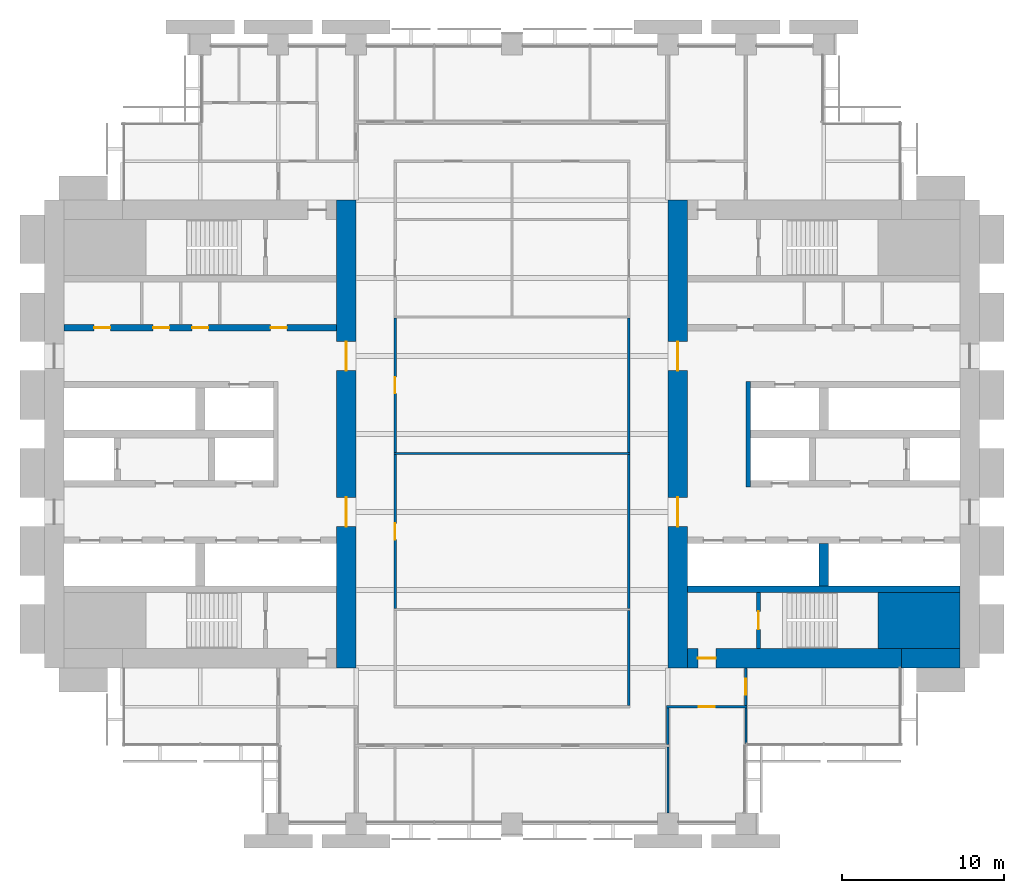
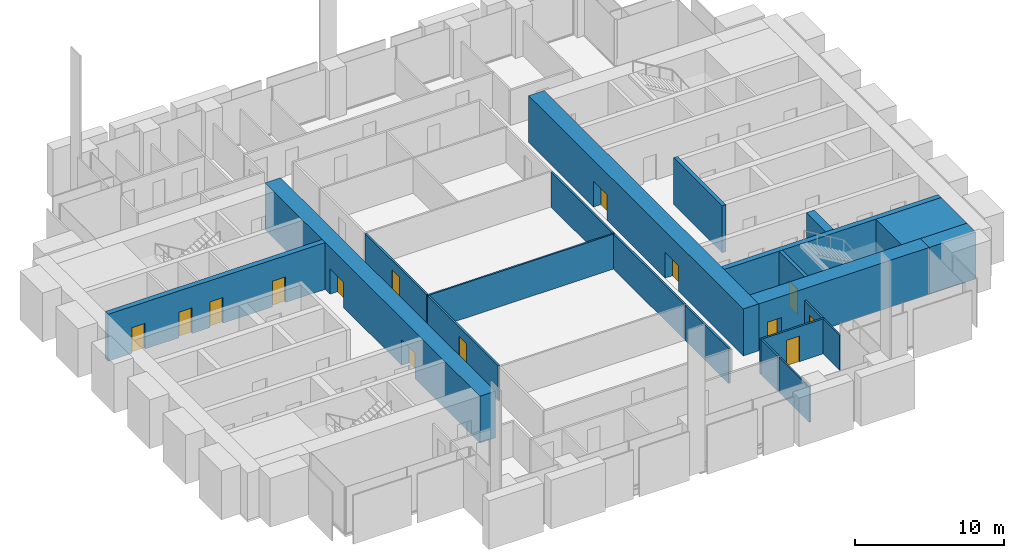
# One storey, part 10 of 14: 21 walls, 14 doors, 14 openings.
"""IFC4 building model written with IfcOpenShell, lengths in metres."""

from ifc_helpers import new_model, si_unit, direction, frame, frame_2d, origin, place, context, subcontext, project, spatial, rectangle, extrude, material, layer, layer_set, type_object, element, fill, save


model = new_model("IFC4")

# Units and contexts
model_context = context("Model", 3, precision=1e-05, world=origin(), true_north=direction((0.0, 1.0)))
body_context = subcontext(model_context, "Body", "Model", "MODEL_VIEW")
ifc_project = project(units=[si_unit("LENGTHUNIT", "METRE"), si_unit("AREAUNIT", "SQUARE_METRE"), si_unit("VOLUMEUNIT", "CUBIC_METRE"), si_unit("PLANEANGLEUNIT", "RADIAN"), si_unit("MASSUNIT", "GRAM", prefix="KILO")], contexts=[model_context])

# Site, building, storey
site_placement = place(None, origin())
site = spatial("IfcSite", under=ifc_project, at=site_placement, CompositionType="ELEMENT")
building_placement = place(site_placement, origin())
building = spatial("IfcBuilding", under=site, at=building_placement, Name="Baori Bourse Tower", CompositionType="ELEMENT")
storey_placement = place(building_placement, frame((0.0, 0.0, 63.0)))
storey = spatial("IfcBuildingStorey", under=building, at=storey_placement, Name="L13", CompositionType="ELEMENT", Elevation=63.0)

# Wall
ifc_material_1 = material(Name="Concrete f'c 70 MPa", Category="concrete")
wall_type_1 = type_object("IfcWallType", Name="Core corner block f'c 70", PredefinedType="SHEAR", material=ifc_material_1)
wall_1_placement = place(storey_placement, frame((51.35009765625, 12.52490234375, 0.0), z_axis=(0.0, 0.0, 1.0), x_axis=(1.0, 0.0, 0.0)))
element("IfcWall", 1, at=wall_1_placement, inside=storey, type_object=wall_type_1, Name="Core wall E05", PredefinedType="SHEAR", context=body_context, shape_type="SweptSolid", body=[
    extrude(rectangle(XDim=5.0498046875, YDim=3.449951171875, at=frame_2d((2.52490234375, 0.0))), origin(), (0.0, 0.0, 1.0), 3.840087890625),
])

# Wall, openings, doors
ifc_material_2 = material(Name="Concrete f'c 70 MPa", Category="concrete")
ifc_layer_1 = layer(ifc_material_2, 1.199951171875)
ifc_layer_set_1 = layer_set([ifc_layer_1], Name="Core wall 1200 f'c 70")
wall_type_2 = type_object("IfcWallType", Name="Core wall 1200 f'c 70", PredefinedType="SHEAR", material=ifc_layer_set_1)
wall_2_placement = place(storey_placement, frame((18.60009765625, 38.39990234375, 0.0), z_axis=(0.0, 0.0, 1.0), x_axis=(0.0, -1.0, 0.0)))
wall_2 = element("IfcWall", 2, at=wall_2_placement, inside=storey, type_object=wall_type_2, Name="Core wall W04", PredefinedType="SHEAR", context=body_context, shape_type="SweptSolid", body=[
    extrude(rectangle(XDim=28.7998046875, YDim=1.199951171875, at=frame_2d((14.39990234375, 0.0))), origin(), (0.0, 0.0, 1.0), 3.840087890625),
])
opening_1_placement = place(wall_2_placement, frame((18.300048828125, 0.0, 0.0)))
opening_1 = element("IfcOpeningElement", 3, at=opening_1_placement, cuts=wall_2, Name="Opening L13-D107", PredefinedType="OPENING", context=body_context, shape_type="SweptSolid", body=[
    extrude(rectangle(XDim=1.800048828125, YDim=2.10009765625, at=frame_2d((0.89990234375, 1.050048828125))), frame((0.0, 0.60986328125, 0.0), z_axis=(0.0, -1.0, 0.0), x_axis=(1.0, 0.0, 0.0)), (0.0, 0.0, 1.0), 1.219970703125),
])
opening_2_placement = place(wall_2_placement, frame((8.699951171875, 0.0, 0.0)))
opening_2 = element("IfcOpeningElement", 4, at=opening_2_placement, cuts=wall_2, Name="Opening L13-D108", PredefinedType="OPENING", context=body_context, shape_type="SweptSolid", body=[
    extrude(rectangle(XDim=1.800048828125, YDim=2.10009765625, at=frame_2d((0.89990234375, 1.050048828125))), frame((0.0, 0.60986328125, 0.0), z_axis=(0.0, -1.0, 0.0), x_axis=(1.0, 0.0, 0.0)), (0.0, 0.0, 1.0), 1.219970703125),
])
ifc_material_3 = material(Name="Painted steel door", Category="steel")
door_type_1 = type_object("IfcDoorType", Name="Core lobby door 1800", OperationType="DOUBLE_DOOR_SINGLE_SWING", PredefinedType="DOOR", material=ifc_material_3)
door_1_placement = place(opening_1_placement, origin())
door_1 = element("IfcDoor", 5, at=door_1_placement, inside=storey, type_object=door_type_1, Name="Lobby door W L13", OperationType="DOUBLE_DOOR_SINGLE_SWING", OverallHeight=2.10009765625, OverallWidth=1.800048828125, PredefinedType="DOOR", context=body_context, shape_type="SweptSolid", body=[
    extrude(rectangle(XDim=1.800048828125, YDim=2.10009765625, at=frame_2d((0.89990234375, 1.050048828125))), frame((0.0, 0.02490234375, 0.0), z_axis=(0.0, -1.0, 0.0), x_axis=(1.0, 0.0, 0.0)), (0.0, 0.0, 1.0), 0.050048828125),
])
fill(opening_1, door_1)
door_2_placement = place(opening_2_placement, origin())
door_2 = element("IfcDoor", 6, at=door_2_placement, inside=storey, type_object=door_type_1, Name="Lobby door W L13", OperationType="DOUBLE_DOOR_SINGLE_SWING", OverallHeight=2.10009765625, OverallWidth=1.800048828125, PredefinedType="DOOR", context=body_context, shape_type="SweptSolid", body=[
    extrude(rectangle(XDim=1.800048828125, YDim=2.10009765625, at=frame_2d((0.89990234375, 1.050048828125))), frame((0.0, 0.02490234375, 0.0), z_axis=(0.0, -1.0, 0.0), x_axis=(1.0, 0.0, 0.0)), (0.0, 0.0, 1.0), 0.050048828125),
])
fill(opening_2, door_2)

# Wall
wall_3_placement = place(storey_placement, frame((56.39990234375, 10.199951171875, 0.0), z_axis=(0.0, 0.0, 1.0), x_axis=(-1.0, 0.0, 0.0)))
element("IfcWall", 7, at=wall_3_placement, inside=storey, type_object=wall_type_2, Name="Core wall E02", PredefinedType="SHEAR", context=body_context, shape_type="SweptSolid", body=[
    extrude(rectangle(XDim=3.599853515625, YDim=1.199951171875, at=frame_2d((1.7998046875, 0.0))), origin(), (0.0, 0.0, 1.0), 3.840087890625),
])

# Wall, opening, door
wall_4_placement = place(storey_placement, frame((52.800048828125, 10.199951171875, 0.0), z_axis=(0.0, 0.0, 1.0), x_axis=(-1.0, 0.0, 0.0)))
wall_4 = element("IfcWall", 8, at=wall_4_placement, inside=storey, type_object=wall_type_2, Name="Core wall E03", PredefinedType="SHEAR", context=body_context, shape_type="SweptSolid", body=[
    extrude(rectangle(XDim=13.199951171875, YDim=1.199951171875, at=frame_2d((6.60009765625, 0.0))), origin(), (0.0, 0.0, 1.0), 3.840087890625),
])
opening_3_placement = place(wall_4_placement, frame((11.449951171875, 0.0, 0.0)))
opening_3 = element("IfcOpeningElement", 9, at=opening_3_placement, cuts=wall_4, Name="Opening L13-D202", PredefinedType="OPENING", context=body_context, shape_type="SweptSolid", body=[
    extrude(rectangle(XDim=1.10009765625, YDim=2.10009765625, at=frame_2d((0.550048828125, 1.050048828125))), frame((0.0, 0.60986328125, 0.0), z_axis=(0.0, -1.0, 0.0), x_axis=(1.0, 0.0, 0.0)), (0.0, 0.0, 1.0), 1.219970703125),
])
ifc_material_4 = material(Name="Painted steel door", Category="steel")
door_type_2 = type_object("IfcDoorType", Name="Stair door 1100", OperationType="SINGLE_SWING_LEFT", PredefinedType="DOOR", material=ifc_material_4)
door_3_placement = place(opening_3_placement, origin())
door_3 = element("IfcDoor", 10, at=door_3_placement, inside=storey, type_object=door_type_2, Name="Stair vestibule door A E L13", OperationType="SINGLE_SWING_LEFT", OverallHeight=2.10009765625, OverallWidth=1.10009765625, PredefinedType="DOOR", context=body_context, shape_type="SweptSolid", body=[
    extrude(rectangle(XDim=1.10009765625, YDim=2.10009765625, at=frame_2d((0.550048828125, 1.050048828125))), frame((0.0, 0.02490234375, 0.0), z_axis=(0.0, -1.0, 0.0), x_axis=(1.0, 0.0, 0.0)), (0.0, 0.0, 1.0), 0.050048828125),
])
fill(opening_3, door_3)

# Wall, openings, doors
wall_5_placement = place(storey_placement, frame((39.0, 9.60009765625, 0.0), z_axis=(0.0, 0.0, 1.0), x_axis=(0.0, 1.0, 0.0)))
wall_5 = element("IfcWall", 11, at=wall_5_placement, inside=storey, type_object=wall_type_2, Name="Core wall E04", PredefinedType="SHEAR", context=body_context, shape_type="SweptSolid", body=[
    extrude(rectangle(XDim=28.7998046875, YDim=1.199951171875, at=frame_2d((14.39990234375, 0.0))), origin(), (0.0, 0.0, 1.0), 3.840087890625),
])
opening_4_placement = place(wall_5_placement, frame((8.699951171875, 0.0, 0.0)))
opening_4 = element("IfcOpeningElement", 12, at=opening_4_placement, cuts=wall_5, Name="Opening L13-D207", PredefinedType="OPENING", context=body_context, shape_type="SweptSolid", body=[
    extrude(rectangle(XDim=1.800048828125, YDim=2.10009765625, at=frame_2d((0.89990234375, 1.050048828125))), frame((0.0, 0.60986328125, 0.0), z_axis=(0.0, -1.0, 0.0), x_axis=(1.0, 0.0, 0.0)), (0.0, 0.0, 1.0), 1.219970703125),
])
opening_5_placement = place(wall_5_placement, frame((18.300048828125, 0.0, 0.0)))
opening_5 = element("IfcOpeningElement", 13, at=opening_5_placement, cuts=wall_5, Name="Opening L13-D208", PredefinedType="OPENING", context=body_context, shape_type="SweptSolid", body=[
    extrude(rectangle(XDim=1.800048828125, YDim=2.10009765625, at=frame_2d((0.89990234375, 1.050048828125))), frame((0.0, 0.60986328125, 0.0), z_axis=(0.0, -1.0, 0.0), x_axis=(1.0, 0.0, 0.0)), (0.0, 0.0, 1.0), 1.219970703125),
])
door_4_placement = place(opening_4_placement, origin())
door_4 = element("IfcDoor", 14, at=door_4_placement, inside=storey, type_object=door_type_1, Name="Lobby door E L13", OperationType="DOUBLE_DOOR_SINGLE_SWING", OverallHeight=2.10009765625, OverallWidth=1.800048828125, PredefinedType="DOOR", context=body_context, shape_type="SweptSolid", body=[
    extrude(rectangle(XDim=1.800048828125, YDim=2.10009765625, at=frame_2d((0.89990234375, 1.050048828125))), frame((0.0, 0.02490234375, 0.0), z_axis=(0.0, -1.0, 0.0), x_axis=(1.0, 0.0, 0.0)), (0.0, 0.0, 1.0), 0.050048828125),
])
fill(opening_4, door_4)
door_5_placement = place(opening_5_placement, origin())
door_5 = element("IfcDoor", 15, at=door_5_placement, inside=storey, type_object=door_type_1, Name="Lobby door E L13", OperationType="DOUBLE_DOOR_SINGLE_SWING", OverallHeight=2.10009765625, OverallWidth=1.800048828125, PredefinedType="DOOR", context=body_context, shape_type="SweptSolid", body=[
    extrude(rectangle(XDim=1.800048828125, YDim=2.10009765625, at=frame_2d((0.89990234375, 1.050048828125))), frame((0.0, 0.02490234375, 0.0), z_axis=(0.0, -1.0, 0.0), x_axis=(1.0, 0.0, 0.0)), (0.0, 0.0, 1.0), 0.050048828125),
])
fill(opening_5, door_5)

# Wall, opening, door
ifc_material_5 = material(Name="Gypsum board partition")
ifc_layer_2 = layer(ifc_material_5, 0.14990234375)
ifc_layer_set_2 = layer_set([ifc_layer_2], Name="Corridor partition 150")
wall_type_3 = type_object("IfcWallType", Name="Corridor partition 150", PredefinedType="PARTITIONING", material=ifc_layer_set_2)
wall_6_placement = place(storey_placement, frame((38.324951171875, 7.199951171875, 0.0), z_axis=(0.0, 0.0, 1.0), x_axis=(1.0, 0.0, 0.0)))
wall_6 = element("IfcWall", 16, at=wall_6_placement, inside=storey, type_object=wall_type_3, Name="Partition", PredefinedType="PARTITIONING", context=body_context, shape_type="SweptSolid", body=[
    extrude(rectangle(XDim=4.949951171875, YDim=0.14990234375, at=frame_2d((2.47509765625, 0.0))), origin(), (0.0, 0.0, 1.0), 2.86962890625),
])
opening_6_placement = place(wall_6_placement, frame((1.97509765625, 0.0, 0.0)))
opening_6 = element("IfcOpeningElement", 17, at=opening_6_placement, cuts=wall_6, Name="Opening L13-D06", PredefinedType="OPENING", context=body_context, shape_type="SweptSolid", body=[
    extrude(rectangle(XDim=1.0, YDim=2.10009765625, at=frame_2d((0.5, 1.050048828125))), frame((0.0, 0.0849609375, 0.0), z_axis=(0.0, -1.0, 0.0), x_axis=(1.0, 0.0, 0.0)), (0.0, 0.0, 1.0), 0.169921875),
])
ifc_material_6 = material(Name="Timber door leaf", Category="wood")
door_type_3 = type_object("IfcDoorType", Name="Door 1000 x 2100", OperationType="SINGLE_SWING_LEFT", PredefinedType="DOOR", material=ifc_material_6)
door_6_placement = place(opening_6_placement, origin())
door_6 = element("IfcDoor", 18, at=door_6_placement, inside=storey, type_object=door_type_3, Name="Door", OperationType="SINGLE_SWING_LEFT", OverallHeight=2.10009765625, OverallWidth=1.0, PredefinedType="DOOR", context=body_context, shape_type="SweptSolid", body=[
    extrude(rectangle(XDim=1.0, YDim=2.10009765625, at=frame_2d((0.5, 1.050048828125))), frame((0.0, 0.02490234375, 0.0), z_axis=(0.0, -1.0, 0.0), x_axis=(1.0, 0.0, 0.0)), (0.0, 0.0, 1.0), 0.050048828125),
])
fill(opening_6, door_6)

wall_7_placement = place(storey_placement, frame((21.60009765625, 13.262451171875, 0.0), z_axis=(0.0, 0.0, 1.0), x_axis=(0.0, 1.0, 0.0)))
wall_7 = element("IfcWall", 19, at=wall_7_placement, inside=storey, type_object=wall_type_3, Name="Partition", PredefinedType="PARTITIONING", context=body_context, shape_type="SweptSolid", body=[
    extrude(rectangle(XDim=9.47509765625, YDim=0.14990234375, at=frame_2d((4.737548828125, 0.0))), origin(), (0.0, 0.0, 1.0), 2.86962890625),
])
opening_7_placement = place(wall_7_placement, frame((4.237548828125, 0.0, 0.0)))
opening_7 = element("IfcOpeningElement", 20, at=opening_7_placement, cuts=wall_7, Name="Opening L13-D21", PredefinedType="OPENING", context=body_context, shape_type="SweptSolid", body=[
    extrude(rectangle(XDim=1.0, YDim=2.10009765625, at=frame_2d((0.5, 1.050048828125))), frame((0.0, 0.0849609375, 0.0), z_axis=(0.0, -1.0, 0.0), x_axis=(1.0, 0.0, 0.0)), (0.0, 0.0, 1.0), 0.169921875),
])
door_7_placement = place(opening_7_placement, origin())
door_7 = element("IfcDoor", 21, at=door_7_placement, inside=storey, type_object=door_type_3, Name="Door", OperationType="SINGLE_SWING_LEFT", OverallHeight=2.10009765625, OverallWidth=1.0, PredefinedType="DOOR", context=body_context, shape_type="SweptSolid", body=[
    extrude(rectangle(XDim=1.0, YDim=2.10009765625, at=frame_2d((0.5, 1.050048828125))), frame((0.0, 0.02490234375, 0.0), z_axis=(0.0, -1.0, 0.0), x_axis=(1.0, 0.0, 0.0)), (0.0, 0.0, 1.0), 0.050048828125),
])
fill(opening_7, door_7)

wall_8_placement = place(storey_placement, frame((21.60009765625, 22.862548828125, 0.0), z_axis=(0.0, 0.0, 1.0), x_axis=(0.0, 1.0, 0.0)))
wall_8 = element("IfcWall", 22, at=wall_8_placement, inside=storey, type_object=wall_type_3, Name="Partition", PredefinedType="PARTITIONING", context=body_context, shape_type="SweptSolid", body=[
    extrude(rectangle(XDim=8.27490234375, YDim=0.14990234375, at=frame_2d((4.137451171875, 0.0))), origin(), (0.0, 0.0, 1.0), 2.86962890625),
])
opening_8_placement = place(wall_8_placement, frame((3.637451171875, 0.0, 0.0)))
opening_8 = element("IfcOpeningElement", 23, at=opening_8_placement, cuts=wall_8, Name="Opening L13-D22", PredefinedType="OPENING", context=body_context, shape_type="SweptSolid", body=[
    extrude(rectangle(XDim=1.0, YDim=2.10009765625, at=frame_2d((0.5, 1.050048828125))), frame((0.0, 0.0849609375, 0.0), z_axis=(0.0, -1.0, 0.0), x_axis=(1.0, 0.0, 0.0)), (0.0, 0.0, 1.0), 0.169921875),
])
door_8_placement = place(opening_8_placement, origin())
door_8 = element("IfcDoor", 24, at=door_8_placement, inside=storey, type_object=door_type_3, Name="Door", OperationType="SINGLE_SWING_LEFT", OverallHeight=2.10009765625, OverallWidth=1.0, PredefinedType="DOOR", context=body_context, shape_type="SweptSolid", body=[
    extrude(rectangle(XDim=1.0, YDim=2.10009765625, at=frame_2d((0.5, 1.050048828125))), frame((0.0, 0.02490234375, 0.0), z_axis=(0.0, -1.0, 0.0), x_axis=(1.0, 0.0, 0.0)), (0.0, 0.0, 1.0), 0.050048828125),
])
fill(opening_8, door_8)

# Walls
wall_9_placement = place(storey_placement, frame((36.0, 7.27490234375, 0.0), z_axis=(0.0, 0.0, 1.0), x_axis=(0.0, 1.0, 0.0)))
element("IfcWall", 25, at=wall_9_placement, inside=storey, type_object=wall_type_3, Name="Partition", PredefinedType="PARTITIONING", context=body_context, shape_type="SweptSolid", body=[
    extrude(rectangle(XDim=5.862548828125, YDim=0.14990234375, at=frame_2d((2.93115234375, 0.0))), origin(), (0.0, 0.0, 1.0), 2.86962890625),
])
wall_10_placement = place(storey_placement, frame((36.0, 13.262451171875, 0.0), z_axis=(0.0, 0.0, 1.0), x_axis=(0.0, 1.0, 0.0)))
element("IfcWall", 26, at=wall_10_placement, inside=storey, type_object=wall_type_3, Name="Partition", PredefinedType="PARTITIONING", context=body_context, shape_type="SweptSolid", body=[
    extrude(rectangle(XDim=9.47509765625, YDim=0.14990234375, at=frame_2d((4.737548828125, 0.0))), origin(), (0.0, 0.0, 1.0), 2.86962890625),
])
wall_11_placement = place(storey_placement, frame((36.0, 22.862548828125, 0.0), z_axis=(0.0, 0.0, 1.0), x_axis=(0.0, 1.0, 0.0)))
element("IfcWall", 27, at=wall_11_placement, inside=storey, type_object=wall_type_3, Name="Partition", PredefinedType="PARTITIONING", context=body_context, shape_type="SweptSolid", body=[
    extrude(rectangle(XDim=8.27490234375, YDim=0.14990234375, at=frame_2d((4.137451171875, 0.0))), origin(), (0.0, 0.0, 1.0), 2.86962890625),
])
wall_12_placement = place(storey_placement, frame((38.39990234375, 4.875, 0.0), z_axis=(0.0, 0.0, 1.0), x_axis=(0.0, 1.0, 0.0)))
element("IfcWall", 28, at=wall_12_placement, inside=storey, type_object=wall_type_3, Name="Partition", PredefinedType="PARTITIONING", context=body_context, shape_type="SweptSolid", body=[
    extrude(rectangle(XDim=2.25, YDim=0.14990234375, at=frame_2d((1.125, 0.0))), origin(), (0.0, 0.0, 1.0), 2.86962890625),
])

# Wall, opening, door
wall_13_placement = place(storey_placement, frame((43.199951171875, 7.27490234375, 0.0), z_axis=(0.0, 0.0, 1.0), x_axis=(0.0, 1.0, 0.0)))
wall_13 = element("IfcWall", 29, at=wall_13_placement, inside=storey, type_object=wall_type_3, Name="Partition", PredefinedType="PARTITIONING", context=body_context, shape_type="SweptSolid", body=[
    extrude(rectangle(XDim=2.3251953125, YDim=0.14990234375, at=frame_2d((1.16259765625, 0.0))), origin(), (0.0, 0.0, 1.0), 2.86962890625),
])
opening_9_placement = place(wall_13_placement, frame((0.66259765625, 0.0, 0.0)))
opening_9 = element("IfcOpeningElement", 30, at=opening_9_placement, cuts=wall_13, Name="Opening L13-D25", PredefinedType="OPENING", context=body_context, shape_type="SweptSolid", body=[
    extrude(rectangle(XDim=1.0, YDim=2.10009765625, at=frame_2d((0.5, 1.050048828125))), frame((0.0, 0.0849609375, 0.0), z_axis=(0.0, -1.0, 0.0), x_axis=(1.0, 0.0, 0.0)), (0.0, 0.0, 1.0), 0.169921875),
])
door_9_placement = place(opening_9_placement, origin())
door_9 = element("IfcDoor", 31, at=door_9_placement, inside=storey, type_object=door_type_3, Name="Door", OperationType="SINGLE_SWING_LEFT", OverallHeight=2.10009765625, OverallWidth=1.0, PredefinedType="DOOR", context=body_context, shape_type="SweptSolid", body=[
    extrude(rectangle(XDim=1.0, YDim=2.10009765625, at=frame_2d((0.5, 1.050048828125))), frame((0.0, 0.02490234375, 0.0), z_axis=(0.0, -1.0, 0.0), x_axis=(1.0, 0.0, 0.0)), (0.0, 0.0, 1.0), 0.050048828125),
])
fill(opening_9, door_9)

# Walls
ifc_material_7 = material(Name="Gypsum board partition")
ifc_layer_3 = layer(ifc_material_7, 0.125)
ifc_layer_set_3 = layer_set([ifc_layer_3], Name="Partition 125")
wall_type_4 = type_object("IfcWallType", Name="Partition 125", PredefinedType="PARTITIONING", material=ifc_layer_set_3)
wall_14_placement = place(storey_placement, frame((21.52490234375, 22.800048828125, 0.0), z_axis=(0.0, 0.0, 1.0), x_axis=(1.0, 0.0, 0.0)))
element("IfcWall", 32, at=wall_14_placement, inside=storey, type_object=wall_type_4, Name="Partition", PredefinedType="PARTITIONING", context=body_context, shape_type="SweptSolid", body=[
    extrude(rectangle(XDim=14.550048828125, YDim=0.125, at=frame_2d((7.27490234375, 0.0))), origin(), (0.0, 0.0, 1.0), 2.86962890625),
])
wall_15_placement = place(storey_placement, frame((38.39990234375, 0.64990234375, 0.0), z_axis=(0.0, 0.0, 1.0), x_axis=(0.0, 1.0, 0.0)))
element("IfcWall", 33, at=wall_15_placement, inside=storey, type_object=wall_type_4, Name="Partition", PredefinedType="PARTITIONING", context=body_context, shape_type="SweptSolid", body=[
    extrude(rectangle(XDim=4.0751953125, YDim=0.125, at=frame_2d((2.03759765625, 0.0))), origin(), (0.0, 0.0, 1.0), 2.86962890625),
])
wall_16_placement = place(storey_placement, frame((43.199951171875, 4.89990234375, 0.0), z_axis=(0.0, 0.0, 1.0), x_axis=(0.0, 1.0, 0.0)))
element("IfcWall", 34, at=wall_16_placement, inside=storey, type_object=wall_type_4, Name="Partition", PredefinedType="PARTITIONING", context=body_context, shape_type="SweptSolid", body=[
    extrude(rectangle(XDim=2.22509765625, YDim=0.125, at=frame_2d((1.112548828125, 0.0))), origin(), (0.0, 0.0, 1.0), 2.86962890625),
])

# Wall, opening, door
ifc_material_8 = material(Name="Concrete f'c 70 MPa", Category="concrete")
ifc_layer_4 = layer(ifc_material_8, 0.25)
ifc_layer_set_4 = layer_set([ifc_layer_4], Name="Shaft wall 250 f'c 70")
wall_type_5 = type_object("IfcWallType", Name="Shaft wall 250 f'c 70", PredefinedType="SHEAR", material=ifc_layer_set_4)
wall_17_placement = place(storey_placement, frame((43.97509765625, 10.800048828125, 0.0), z_axis=(0.0, 0.0, 1.0), x_axis=(0.0, 1.0, 0.0)))
wall_17 = element("IfcWall", 35, at=wall_17_placement, inside=storey, type_object=wall_type_5, Name="Core wall E06", PredefinedType="SHEAR", context=body_context, shape_type="SweptSolid", body=[
    extrude(rectangle(XDim=3.449951171875, YDim=0.25, at=frame_2d((1.72509765625, 0.0))), origin(), (0.0, 0.0, 1.0), 3.840087890625),
])
opening_10_placement = place(wall_17_placement, frame((1.175048828125, 0.0, 0.0)))
opening_10 = element("IfcOpeningElement", 36, at=opening_10_placement, cuts=wall_17, Name="Opening L13-D201", PredefinedType="OPENING", context=body_context, shape_type="SweptSolid", body=[
    extrude(rectangle(XDim=1.10009765625, YDim=2.10009765625, at=frame_2d((0.550048828125, 1.050048828125))), frame((0.0, 0.135009765625, 0.0), z_axis=(0.0, -1.0, 0.0), x_axis=(1.0, 0.0, 0.0)), (0.0, 0.0, 1.0), 0.27001953125),
])
door_10_placement = place(opening_10_placement, origin())
door_10 = element("IfcDoor", 37, at=door_10_placement, inside=storey, type_object=door_type_2, Name="Stair door A E L13", OperationType="SINGLE_SWING_LEFT", OverallHeight=2.10009765625, OverallWidth=1.10009765625, PredefinedType="DOOR", context=body_context, shape_type="SweptSolid", body=[
    extrude(rectangle(XDim=1.10009765625, YDim=2.10009765625, at=frame_2d((0.550048828125, 1.050048828125))), frame((0.0, 0.02490234375, 0.0), z_axis=(0.0, -1.0, 0.0), x_axis=(1.0, 0.0, 0.0)), (0.0, 0.0, 1.0), 0.050048828125),
])
fill(opening_10, door_10)

# Wall
ifc_material_9 = material(Name="Concrete f'c 70 MPa", Category="concrete")
ifc_layer_5 = layer(ifc_material_9, 0.300048828125)
ifc_layer_set_5 = layer_set([ifc_layer_5], Name="Shaft wall 300 f'c 70")
wall_type_6 = type_object("IfcWallType", Name="Shaft wall 300 f'c 70", PredefinedType="SHEAR", material=ifc_layer_set_5)
wall_18_placement = place(storey_placement, frame((43.35009765625, 20.75, 0.0), z_axis=(0.0, 0.0, 1.0), x_axis=(0.0, 1.0, 0.0)))
element("IfcWall", 38, at=wall_18_placement, inside=storey, type_object=wall_type_6, Name="Core wall E11", PredefinedType="SHEAR", context=body_context, shape_type="SweptSolid", body=[
    extrude(rectangle(XDim=6.5, YDim=0.300048828125, at=frame_2d((3.25, 0.0))), origin(), (0.0, 0.0, 1.0), 3.840087890625),
])

# Wall, openings, doors
ifc_material_10 = material(Name="Concrete f'c 70 MPa", Category="concrete")
ifc_layer_6 = layer(ifc_material_10, 0.39990234375)
ifc_layer_set_6 = layer_set([ifc_layer_6], Name="Shaft wall 400 f'c 70")
wall_type_7 = type_object("IfcWallType", Name="Shaft wall 400 f'c 70", PredefinedType="SHEAR", material=ifc_layer_set_6)
wall_19_placement = place(storey_placement, frame((1.199951171875, 30.550048828125, 0.0), z_axis=(0.0, 0.0, 1.0), x_axis=(1.0, 0.0, 0.0)))
wall_19 = element("IfcWall", 39, at=wall_19_placement, inside=storey, type_object=wall_type_7, Name="Core wall W17", PredefinedType="SHEAR", context=body_context, shape_type="SweptSolid", body=[
    extrude(rectangle(XDim=16.800048828125, YDim=0.39990234375, at=frame_2d((8.39990234375, 0.0))), origin(), (0.0, 0.0, 1.0), 3.840087890625),
])
opening_11_placement = place(wall_19_placement, frame((1.862548828125, 0.0, 0.0)))
opening_11 = element("IfcOpeningElement", 40, at=opening_11_placement, cuts=wall_19, Name="Opening L13-D109", PredefinedType="OPENING", context=body_context, shape_type="SweptSolid", body=[
    extrude(rectangle(XDim=1.0, YDim=2.10009765625, at=frame_2d((0.5, 1.050048828125))), frame((0.0, 0.2099609375, 0.0), z_axis=(0.0, -1.0, 0.0), x_axis=(1.0, 0.0, 0.0)), (0.0, 0.0, 1.0), 0.419921875),
])
opening_12_placement = place(wall_19_placement, frame((5.5, 0.0, 0.0)))
opening_12 = element("IfcOpeningElement", 41, at=opening_12_placement, cuts=wall_19, Name="Opening L13-D110", PredefinedType="OPENING", context=body_context, shape_type="SweptSolid", body=[
    extrude(rectangle(XDim=1.0, YDim=2.10009765625, at=frame_2d((0.5, 1.050048828125))), frame((0.0, 0.2099609375, 0.0), z_axis=(0.0, -1.0, 0.0), x_axis=(1.0, 0.0, 0.0)), (0.0, 0.0, 1.0), 0.419921875),
])
opening_13_placement = place(wall_19_placement, frame((7.89990234375, 0.0, 0.0)))
opening_13 = element("IfcOpeningElement", 42, at=opening_13_placement, cuts=wall_19, Name="Opening L13-D111", PredefinedType="OPENING", context=body_context, shape_type="SweptSolid", body=[
    extrude(rectangle(XDim=1.0, YDim=2.10009765625, at=frame_2d((0.5, 1.050048828125))), frame((0.0, 0.2099609375, 0.0), z_axis=(0.0, -1.0, 0.0), x_axis=(1.0, 0.0, 0.0)), (0.0, 0.0, 1.0), 0.419921875),
])
opening_14_placement = place(wall_19_placement, frame((12.737548828125, 0.0, 0.0)))
opening_14 = element("IfcOpeningElement", 43, at=opening_14_placement, cuts=wall_19, Name="Opening L13-D112", PredefinedType="OPENING", context=body_context, shape_type="SweptSolid", body=[
    extrude(rectangle(XDim=1.0, YDim=2.10009765625, at=frame_2d((0.5, 1.050048828125))), frame((0.0, 0.2099609375, 0.0), z_axis=(0.0, -1.0, 0.0), x_axis=(1.0, 0.0, 0.0)), (0.0, 0.0, 1.0), 0.419921875),
])
ifc_material_11 = material(Name="Painted steel door", Category="steel")
door_type_4 = type_object("IfcDoorType", Name="Core door 1000", OperationType="SINGLE_SWING_LEFT", PredefinedType="DOOR", material=ifc_material_11)
door_11_placement = place(opening_11_placement, origin())
door_11 = element("IfcDoor", 44, at=door_11_placement, inside=storey, type_object=door_type_4, Name="Women'S Wc door W L13", OperationType="SINGLE_SWING_LEFT", OverallHeight=2.10009765625, OverallWidth=1.0, PredefinedType="DOOR", context=body_context, shape_type="SweptSolid", body=[
    extrude(rectangle(XDim=1.0, YDim=2.10009765625, at=frame_2d((0.5, 1.050048828125))), frame((0.0, 0.02490234375, 0.0), z_axis=(0.0, -1.0, 0.0), x_axis=(1.0, 0.0, 0.0)), (0.0, 0.0, 1.0), 0.050048828125),
])
fill(opening_11, door_11)
door_12_placement = place(opening_12_placement, origin())
door_12 = element("IfcDoor", 45, at=door_12_placement, inside=storey, type_object=door_type_4, Name="Accessible Wc door W L13", OperationType="SINGLE_SWING_LEFT", OverallHeight=2.10009765625, OverallWidth=1.0, PredefinedType="DOOR", context=body_context, shape_type="SweptSolid", body=[
    extrude(rectangle(XDim=1.0, YDim=2.10009765625, at=frame_2d((0.5, 1.050048828125))), frame((0.0, 0.02490234375, 0.0), z_axis=(0.0, -1.0, 0.0), x_axis=(1.0, 0.0, 0.0)), (0.0, 0.0, 1.0), 0.050048828125),
])
fill(opening_12, door_12)
door_13_placement = place(opening_14_placement, origin())
door_13 = element("IfcDoor", 46, at=door_13_placement, inside=storey, type_object=door_type_4, Name="Men'S Wc door W L13", OperationType="SINGLE_SWING_LEFT", OverallHeight=2.10009765625, OverallWidth=1.0, PredefinedType="DOOR", context=body_context, shape_type="SweptSolid", body=[
    extrude(rectangle(XDim=1.0, YDim=2.10009765625, at=frame_2d((0.5, 1.050048828125))), frame((0.0, 0.02490234375, 0.0), z_axis=(0.0, -1.0, 0.0), x_axis=(1.0, 0.0, 0.0)), (0.0, 0.0, 1.0), 0.050048828125),
])
fill(opening_14, door_13)
ifc_material_12 = material(Name="Painted steel door", Category="steel")
door_type_5 = type_object("IfcDoorType", Name="Plant room door 1000", OperationType="SINGLE_SWING_LEFT", PredefinedType="DOOR", material=ifc_material_12)
door_14_placement = place(opening_13_placement, origin())
door_14 = element("IfcDoor", 47, at=door_14_placement, inside=storey, type_object=door_type_5, Name="Plumbing Equipment Room door W L13", OperationType="SINGLE_SWING_LEFT", OverallHeight=2.10009765625, OverallWidth=1.0, PredefinedType="DOOR", context=body_context, shape_type="SweptSolid", body=[
    extrude(rectangle(XDim=1.0, YDim=2.10009765625, at=frame_2d((0.5, 1.050048828125))), frame((0.0, 0.02490234375, 0.0), z_axis=(0.0, -1.0, 0.0), x_axis=(1.0, 0.0, 0.0)), (0.0, 0.0, 1.0), 0.050048828125),
])
fill(opening_13, door_14)

# Walls
wall_20_placement = place(storey_placement, frame((39.60009765625, 14.449951171875, 0.0), z_axis=(0.0, 0.0, 1.0), x_axis=(1.0, 0.0, 0.0)))
element("IfcWall", 48, at=wall_20_placement, inside=storey, type_object=wall_type_7, Name="Core wall E07", PredefinedType="SHEAR", context=body_context, shape_type="SweptSolid", body=[
    extrude(rectangle(XDim=16.7998046875, YDim=0.39990234375, at=frame_2d((8.39990234375, 0.0))), origin(), (0.0, 0.0, 1.0), 3.840087890625),
])
ifc_material_13 = material(Name="Concrete f'c 70 MPa", Category="concrete")
ifc_layer_7 = layer(ifc_material_13, 0.60009765625)
ifc_layer_set_7 = layer_set([ifc_layer_7], Name="Shaft wall 600 f'c 70")
wall_type_8 = type_object("IfcWallType", Name="Shaft wall 600 f'c 70", PredefinedType="SHEAR", material=ifc_layer_set_7)
wall_21_placement = place(storey_placement, frame((48.0, 14.64990234375, 0.0), z_axis=(0.0, 0.0, 1.0), x_axis=(0.0, 1.0, 0.0)))
element("IfcWall", 49, at=wall_21_placement, inside=storey, type_object=wall_type_8, Name="Core wall E08", PredefinedType="SHEAR", context=body_context, shape_type="SweptSolid", body=[
    extrude(rectangle(XDim=2.60009765625, YDim=0.60009765625, at=frame_2d((1.300048828125, 0.0))), origin(), (0.0, 0.0, 1.0), 3.840087890625),
])

save(model, "model.ifc")
